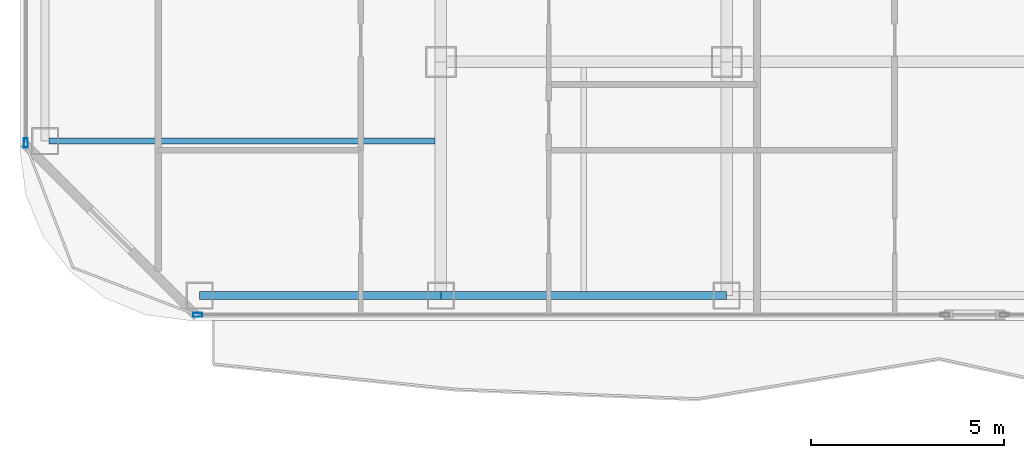
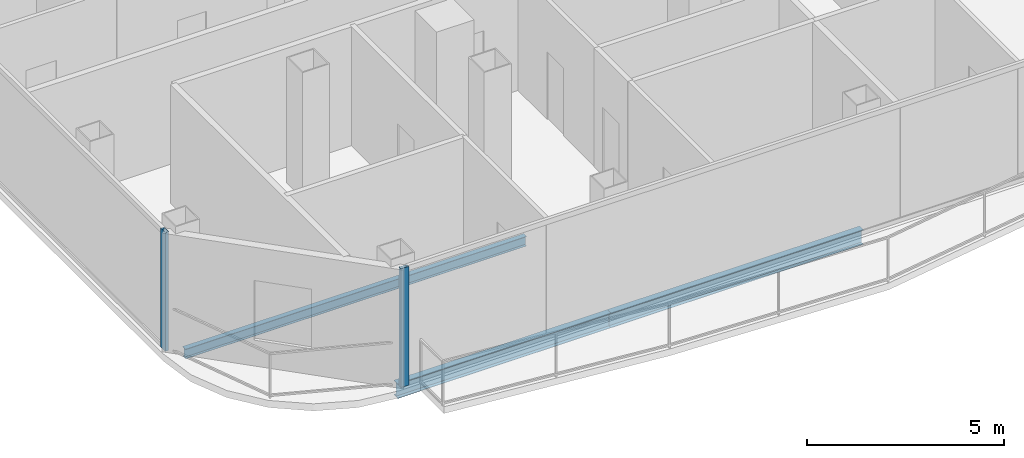
# One storey, part 2 of 27: 3 beams, 2 members, 2 elements without a shape of their own.
"""IFC4 building model written with IfcOpenShell, lengths in metres."""

from ifc_helpers import new_model, si_unit, direction, frame, origin, origin_2d, place, context, subcontext, project, spatial, hollow_rectangle, i_section, extrude, material, layer, layer_set, material_profile, profile_set, type_object, element, aggregate, save


model = new_model("IFC4")

# Units and contexts
model_context = context("Model", 3, precision=1e-05, world=origin(), true_north=direction((0.0, 1.0)))
body_context = subcontext(model_context, "Body", "Model", "MODEL_VIEW")
ifc_project = project(units=[si_unit("LENGTHUNIT", "METRE"), si_unit("AREAUNIT", "SQUARE_METRE"), si_unit("VOLUMEUNIT", "CUBIC_METRE"), si_unit("PLANEANGLEUNIT", "RADIAN"), si_unit("MASSUNIT", "GRAM", prefix="KILO")], contexts=[model_context])

# Site, building, storey
site_placement = place(None, origin())
site = spatial("IfcSite", under=ifc_project, at=site_placement, CompositionType="ELEMENT")
building_placement = place(site_placement, origin())
building = spatial("IfcBuilding", under=site, at=building_placement, Name="Khorvyn Point Tower", CompositionType="ELEMENT")
storey_placement = place(building_placement, frame((0.0, 0.0, 179.699951171875)))
storey = spatial("IfcBuildingStorey", under=building, at=storey_placement, Name="L44", CompositionType="ELEMENT", Elevation=179.699951171875)

# Curtain wall, member
ifc_material_1 = material(Name="Anodised aluminium 6063-T6 and laminated Low-E glass", Category="aluminium")
ifc_layer = layer(ifc_material_1, 0.18994140625)
ifc_layer_set = layer_set([ifc_layer], Name="Stick-Built Acoustic Curtain Wall CW-SYS-03")
curtain_wall_type = type_object("IfcCurtainWallType", Name="Stick-Built Acoustic Curtain Wall CW-SYS-03", PredefinedType="NOTDEFINED", material=ifc_layer_set)
curtain_wall_1_placement = place(storey_placement, origin())
curtain_wall_1 = element("IfcCurtainWall", 1, at=curtain_wall_1_placement, inside=storey, type_object=curtain_wall_type, Name="Curtain Wall", PredefinedType="NOTDEFINED")
ifc_material_2 = material(Name="Anodised aluminium 6063-T6", Category="aluminium")
ifc_material_profile_1 = material_profile(ifc_material_2, hollow_rectangle(XDim=0.10009765625, YDim=0.239990234375, WallThickness=0.0048828125, at=origin_2d()))
ifc_profile_set_1 = profile_set([ifc_material_profile_1], Name="Anodised aluminium 6063-T6 ALU-MUL-100x240")
member_type = type_object("IfcMemberType", Name="Anodised Aluminium 6063-T6 Mullion ALU-MUL-100x240", PredefinedType="MULLION", material=ifc_profile_set_1)
member_1_placement = place(storey_placement, frame((-21.10009765625, -23.64990234375, 0.0), z_axis=(0.0, 0.0, 1.0), x_axis=(0.0, -1.0, 0.0)))
member_1 = element("IfcMember", 2, at=member_1_placement, type_object=member_type, Name="Transom", PredefinedType="MULLION", context=body_context, shape_type="SweptSolid", body=[
    extrude(hollow_rectangle(XDim=0.10009765625, YDim=0.239990234375, WallThickness=0.0048828125, at=origin_2d()), origin(), (0.0, 0.0, 1.0), 3.679931640625),
])
aggregate(curtain_wall_1, [member_1])

curtain_wall_2_placement = place(storey_placement, origin())
curtain_wall_2 = element("IfcCurtainWall", 3, at=curtain_wall_2_placement, inside=storey, type_object=curtain_wall_type, Name="Curtain Wall", PredefinedType="NOTDEFINED")
member_2_placement = place(storey_placement, frame((-25.550048828125, -19.199951171875, 0.0), z_axis=(0.0, 0.0, 1.0), x_axis=(-1.0, 0.0, 0.0)))
member_2 = element("IfcMember", 4, at=member_2_placement, type_object=member_type, Name="Transom", PredefinedType="MULLION", context=body_context, shape_type="SweptSolid", body=[
    extrude(hollow_rectangle(XDim=0.10009765625, YDim=0.239990234375, WallThickness=0.0048828125, at=origin_2d()), origin(), (0.0, 0.0, 1.0), 3.679931640625),
])
aggregate(curtain_wall_2, [member_2])

# Beams
ifc_material_3 = material(Name="Steel S355", Category="steel")
ifc_material_profile_2 = material_profile(ifc_material_3, i_section(OverallWidth=0.14990234375, OverallDepth=0.300048828125, WebThickness=0.006591796875, FlangeThickness=0.009033203125, at=origin_2d()))
ifc_profile_set_2 = profile_set([ifc_material_profile_2], Name="Steel S355 H300x150x6.5x9")
beam_type_1 = type_object("IfcBeamType", Name="Steel S355 Joist H300x150x6.5x9", PredefinedType="JOIST", material=ifc_profile_set_2)
beam_1_placement = place(storey_placement, frame((-24.949951171875, -19.14990234375, -0.369873046875), z_axis=(1.0, 0.0, 0.0), x_axis=(0.0, 1.0, 0.0)))
element("IfcBeam", 5, at=beam_1_placement, inside=storey, type_object=beam_type_1, Name="Beam", PredefinedType="JOIST", context=body_context, shape_type="SweptSolid", body=[
    extrude(i_section(OverallWidth=0.14990234375, OverallDepth=0.300048828125, WebThickness=0.006591796875, FlangeThickness=0.009033203125, at=origin_2d()), origin(), (0.0, 0.0, 1.0), 10.0),
])
ifc_material_profile_3 = material_profile(ifc_material_3, i_section(OverallWidth=0.199951171875, OverallDepth=0.449951171875, WebThickness=0.009033203125, FlangeThickness=0.013916015625, at=origin_2d()))
ifc_profile_set_3 = profile_set([ifc_material_profile_3], Name="Steel S355 H450x200x9x14")
beam_type_2 = type_object("IfcBeamType", Name="Steel S355 Spandrel H450x200x9x14", PredefinedType="SPANDREL", material=ifc_profile_set_3)
beam_2_placement = place(storey_placement, frame((-21.050048828125, -23.14990234375, -0.445068359375), z_axis=(1.0, 0.0, 0.0), x_axis=(0.0, 1.0, 0.0)))
element("IfcBeam", 6, at=beam_2_placement, inside=storey, type_object=beam_type_2, Name="Beam", PredefinedType="SPANDREL", context=body_context, shape_type="SweptSolid", body=[
    extrude(i_section(OverallWidth=0.199951171875, OverallDepth=0.449951171875, WebThickness=0.009033203125, FlangeThickness=0.013916015625, at=origin_2d()), origin(), (0.0, 0.0, 1.0), 6.25),
])
beam_3_placement = place(storey_placement, frame((-14.800048828125, -23.14990234375, -0.445068359375), z_axis=(1.0, 0.0, 0.0), x_axis=(0.0, 1.0, 0.0)))
element("IfcBeam", 7, at=beam_3_placement, inside=storey, type_object=beam_type_2, Name="Beam", PredefinedType="SPANDREL", context=body_context, shape_type="SweptSolid", body=[
    extrude(i_section(OverallWidth=0.199951171875, OverallDepth=0.449951171875, WebThickness=0.009033203125, FlangeThickness=0.013916015625, at=origin_2d()), origin(), (0.0, 0.0, 1.0), 7.400146484375),
])

save(model, "model.ifc")
